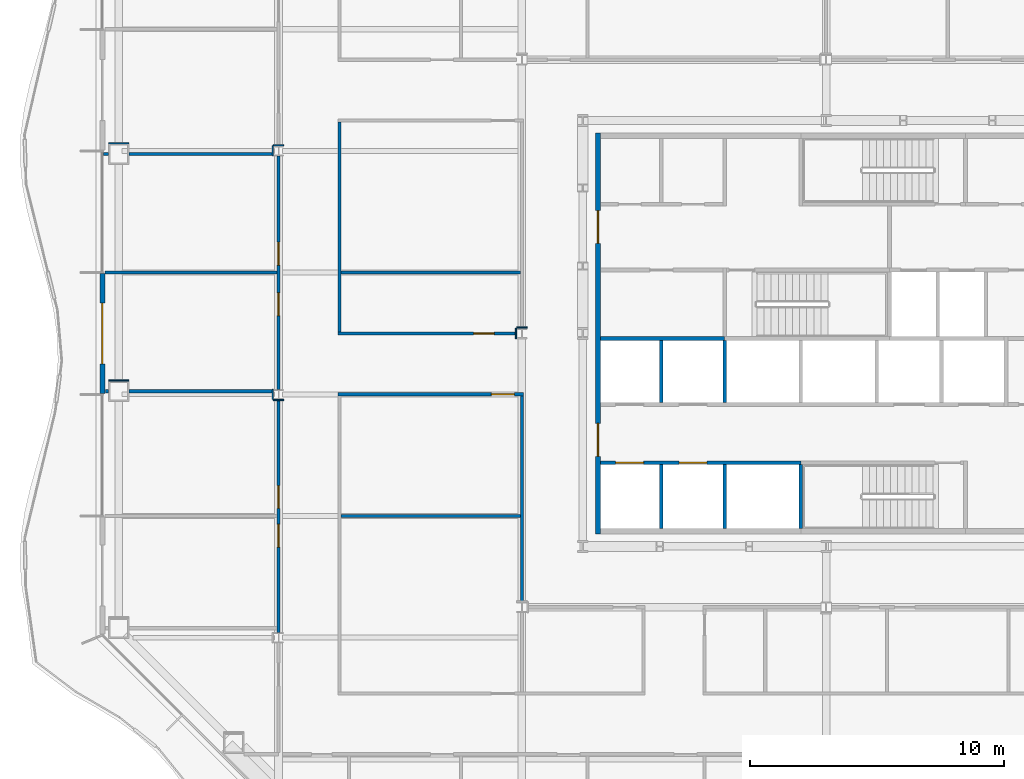
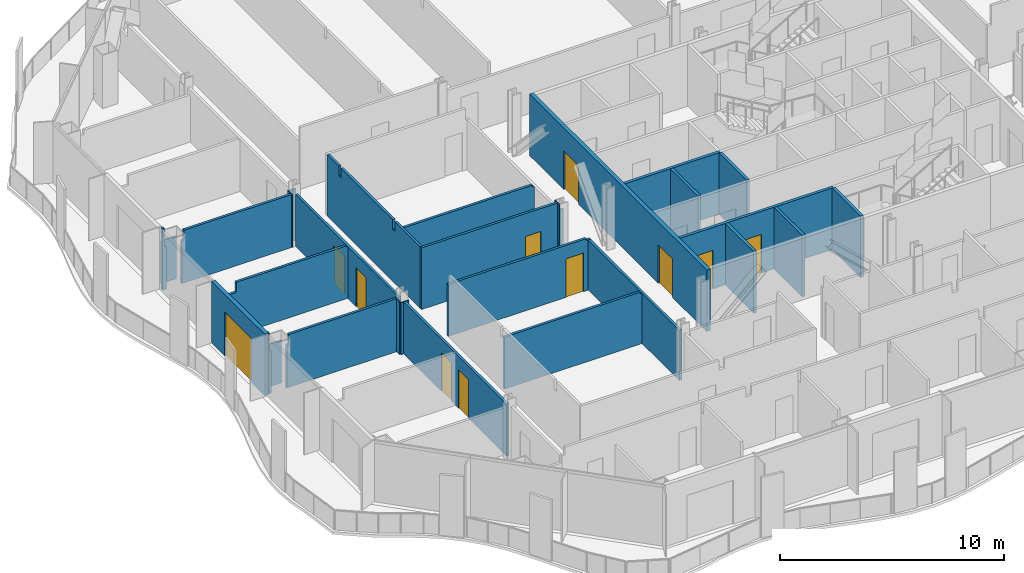
# One storey, part 9 of 23: 30 walls, 11 doors, 11 openings.
"""IFC4 building model written with IfcOpenShell, lengths in metres."""

from ifc_helpers import new_model, si_unit, direction, frame, frame_2d, origin, place, context, subcontext, project, spatial, polyline, rectangle, outline, extrude, material, layer, layer_set, type_object, element, fill, save


model = new_model("IFC4")

# Units and contexts
model_context = context("Model", 3, precision=1e-05, world=origin(), true_north=direction((0.0, 1.0)))
body_context = subcontext(model_context, "Body", "Model", "MODEL_VIEW")
ifc_project = project(units=[si_unit("LENGTHUNIT", "METRE"), si_unit("AREAUNIT", "SQUARE_METRE"), si_unit("VOLUMEUNIT", "CUBIC_METRE"), si_unit("PLANEANGLEUNIT", "RADIAN"), si_unit("MASSUNIT", "GRAM", prefix="KILO")], contexts=[model_context])

# Site, building, storey
site_placement = place(None, origin())
site = spatial("IfcSite", under=ifc_project, at=site_placement, CompositionType="ELEMENT")
building_placement = place(site_placement, origin())
building = spatial("IfcBuilding", under=site, at=building_placement, Name="Cairn Pilgrim Tower", CompositionType="ELEMENT")
storey_placement = place(building_placement, frame((0.0, 0.0, 115.800048828125)))
storey = spatial("IfcBuildingStorey", under=building, at=storey_placement, Name="L28", CompositionType="ELEMENT", Elevation=115.800048828125)

# Wall, opening, door
ifc_material_1 = material(Name="Bronze anodised aluminium insulated sandwich panel with mineral wool fill", Category="aluminium")
ifc_layer_1 = layer(ifc_material_1, 0.199951171875)
ifc_layer_set_1 = layer_set([ifc_layer_1], Name="BRONZE INFILL FRAME WALL 200")
wall_type_1 = type_object("IfcWallType", Name="BRONZE INFILL FRAME WALL 200", PredefinedType="NOTDEFINED", material=ifc_layer_set_1)
wall_1_placement = place(storey_placement, frame((-21.35009765625, 4.77001953125, 0.0), z_axis=(0.0, 0.0, 1.0), x_axis=(0.0, -1.0, 0.0)))
wall_1 = element("IfcWall", 1, at=wall_1_placement, inside=storey, type_object=wall_type_1, Name="Bronze infill frame wall IW-W4", PredefinedType="NOTDEFINED", context=body_context, shape_type="SweptSolid", body=[
    extrude(rectangle(XDim=4.739990234375, YDim=0.199951171875, at=frame_2d((2.3701171875, 0.0))), origin(), (0.0, 0.0, 1.0), 3.349853515625),
])
opening_1_placement = place(wall_1_placement, frame((1.169921875, 0.0, 0.0)))
opening_1 = element("IfcOpeningElement", 2, at=opening_1_placement, cuts=wall_1, Name="Opening 2812B", PredefinedType="OPENING", context=body_context, shape_type="SweptSolid", body=[
    extrude(rectangle(XDim=2.39990234375, YDim=2.39990234375, at=frame_2d((1.199951171875, 1.199951171875))), frame((0.0, 0.10986328125, 0.0), z_axis=(0.0, -1.0, 0.0), x_axis=(1.0, 0.0, 0.0)), (0.0, 0.0, 1.0), 0.219970703125),
])
ifc_material_2 = material(Name="Bronze anodised aluminium frame with tinted low-E glass", Category="aluminium")
door_type_1 = type_object("IfcDoorType", Name="BALCONY SLIDING DOOR 2400x2400", OperationType="DOUBLE_DOOR_SLIDING", PredefinedType="DOOR", material=ifc_material_2)
door_1_placement = place(opening_1_placement, origin())
door_1 = element("IfcDoor", 3, at=door_1_placement, inside=storey, type_object=door_type_1, Name="Balcony sliding door 2812B", OperationType="SINGLE_SWING_LEFT", OverallHeight=2.39990234375, OverallWidth=2.39990234375, PredefinedType="DOOR", context=body_context, shape_type="SweptSolid", body=[
    extrude(rectangle(XDim=2.39990234375, YDim=2.39990234375, at=frame_2d((1.199951171875, 1.199951171875))), frame((0.0, 0.02490234375, 0.0), z_axis=(0.0, -1.0, 0.0), x_axis=(1.0, 0.0, 0.0)), (0.0, 0.0, 1.0), 0.050048828125),
])
fill(opening_1, door_1)

# Wall, openings, doors
ifc_material_3 = material(Name="Concrete C32/40", Category="concrete")
ifc_layer_2 = layer(ifc_material_3, 0.199951171875)
ifc_layer_set_2 = layer_set([ifc_layer_2], Name="CORE OUTER WALL 200 EI 120")
wall_type_2 = type_object("IfcWallType", Name="CORE OUTER WALL 200 EI 120", PredefinedType="SOLIDWALL", material=ifc_layer_set_2)
wall_2_placement = place(storey_placement, frame((-1.800048828125, -5.5, 0.0), z_axis=(0.0, 0.0, 1.0), x_axis=(0.0, 1.0, 0.0)))
wall_2 = element("IfcWall", 4, at=wall_2_placement, inside=storey, type_object=wall_type_2, Name="CW:L28:V12", PredefinedType="SOLIDWALL", context=body_context, shape_type="SweptSolid", body=[
    extrude(rectangle(XDim=15.800048828125, YDim=0.199951171875, at=frame_2d((7.89990234375, 0.0))), origin(), (0.0, 0.0, 1.0), 3.349853515625),
])
opening_2_placement = place(wall_2_placement, frame((3.050048828125, 0.0, 0.0)))
opening_2 = element("IfcOpeningElement", 5, at=opening_2_placement, cuts=wall_2, Name="Opening CD-W1", PredefinedType="OPENING", context=body_context, shape_type="SweptSolid", body=[
    extrude(rectangle(XDim=1.300048828125, YDim=2.10009765625, at=frame_2d((0.64990234375, 1.050048828125))), frame((0.0, 0.10986328125, 0.0), z_axis=(0.0, -1.0, 0.0), x_axis=(1.0, 0.0, 0.0)), (0.0, 0.0, 1.0), 0.219970703125),
])
opening_3_placement = place(wall_2_placement, frame((11.449951171875, 0.0, 0.0)))
opening_3 = element("IfcOpeningElement", 6, at=opening_3_placement, cuts=wall_2, Name="Opening CD-W2", PredefinedType="OPENING", context=body_context, shape_type="SweptSolid", body=[
    extrude(rectangle(XDim=1.300048828125, YDim=2.10009765625, at=frame_2d((0.64990234375, 1.050048828125))), frame((0.0, 0.10986328125, 0.0), z_axis=(0.0, -1.0, 0.0), x_axis=(1.0, 0.0, 0.0)), (0.0, 0.0, 1.0), 0.219970703125),
])
ifc_material_4 = material(Name="Painted steel", Category="steel")
door_type_2 = type_object("IfcDoorType", Name="CORE LOBBY DOOR 1300x2100", OperationType="DOUBLE_DOOR_SINGLE_SWING", PredefinedType="DOOR", material=ifc_material_4)
door_2_placement = place(opening_2_placement, origin())
door_2 = element("IfcDoor", 7, at=door_2_placement, inside=storey, type_object=door_type_2, Name="CD-W1", OperationType="DOUBLE_DOOR_SINGLE_SWING", OverallHeight=2.10009765625, OverallWidth=1.300048828125, PredefinedType="DOOR", context=body_context, shape_type="SweptSolid", body=[
    extrude(rectangle(XDim=1.300048828125, YDim=2.10009765625, at=frame_2d((0.64990234375, 1.050048828125))), frame((0.0, 0.02490234375, 0.0), z_axis=(0.0, -1.0, 0.0), x_axis=(1.0, 0.0, 0.0)), (0.0, 0.0, 1.0), 0.050048828125),
])
fill(opening_2, door_2)
door_3_placement = place(opening_3_placement, origin())
door_3 = element("IfcDoor", 8, at=door_3_placement, inside=storey, type_object=door_type_2, Name="CD-W2", OperationType="DOUBLE_DOOR_SINGLE_SWING", OverallHeight=2.10009765625, OverallWidth=1.300048828125, PredefinedType="DOOR", context=body_context, shape_type="SweptSolid", body=[
    extrude(rectangle(XDim=1.300048828125, YDim=2.10009765625, at=frame_2d((0.64990234375, 1.050048828125))), frame((0.0, 0.02490234375, 0.0), z_axis=(0.0, -1.0, 0.0), x_axis=(1.0, 0.0, 0.0)), (0.0, 0.0, 1.0), 0.050048828125),
])
fill(opening_3, door_3)

ifc_layer_3 = layer(ifc_material_3, 0.14990234375)
ifc_layer_set_3 = layer_set([ifc_layer_3], Name="CORE SHAFT WALL 150 EI 120")
wall_type_3 = type_object("IfcWallType", Name="CORE SHAFT WALL 150 EI 120", PredefinedType="SOLIDWALL", material=ifc_layer_set_3)
wall_3_placement = place(storey_placement, frame((-1.699951171875, -2.699951171875, 0.0), z_axis=(0.0, 0.0, 1.0), x_axis=(1.0, 0.0, 0.0)))
wall_3 = element("IfcWall", 9, at=wall_3_placement, inside=storey, type_object=wall_type_3, Name="CW:L28:H02-1", PredefinedType="SOLIDWALL", context=body_context, shape_type="SweptSolid", body=[
    extrude(rectangle(XDim=7.89990234375, YDim=0.14990234375, at=frame_2d((3.949951171875, 0.0))), origin(), (0.0, 0.0, 1.0), 3.349853515625),
])
opening_4_placement = place(wall_3_placement, frame((0.60009765625, 0.0, 0.0)))
opening_4 = element("IfcOpeningElement", 10, at=opening_4_placement, cuts=wall_3, Name="Opening LD-LR1", PredefinedType="OPENING", context=body_context, shape_type="SweptSolid", body=[
    extrude(rectangle(XDim=1.10009765625, YDim=2.10009765625, at=frame_2d((0.550048828125, 1.050048828125))), frame((0.0, 0.0849609375, 0.0), z_axis=(0.0, -1.0, 0.0), x_axis=(1.0, 0.0, 0.0)), (0.0, 0.0, 1.0), 0.169921875),
])
opening_5_placement = place(wall_3_placement, frame((3.10009765625, 0.0, 0.0)))
opening_5 = element("IfcOpeningElement", 11, at=opening_5_placement, cuts=wall_3, Name="Opening LD-LR2", PredefinedType="OPENING", context=body_context, shape_type="SweptSolid", body=[
    extrude(rectangle(XDim=1.10009765625, YDim=2.10009765625, at=frame_2d((0.550048828125, 1.050048828125))), frame((0.0, 0.0849609375, 0.0), z_axis=(0.0, -1.0, 0.0), x_axis=(1.0, 0.0, 0.0)), (0.0, 0.0, 1.0), 0.169921875),
])
ifc_material_5 = material(Name="Stainless steel", Category="steel")
door_type_3 = type_object("IfcDoorType", Name="LIFT LANDING DOOR 1100x2100", OperationType="DOUBLE_DOOR_SLIDING", PredefinedType="DOOR", material=ifc_material_5)
door_4_placement = place(opening_4_placement, origin())
door_4 = element("IfcDoor", 12, at=door_4_placement, inside=storey, type_object=door_type_3, Name="LANDING DOOR LR1", OperationType="DOUBLE_DOOR_SLIDING", OverallHeight=2.10009765625, OverallWidth=1.10009765625, PredefinedType="DOOR", context=body_context, shape_type="SweptSolid", body=[
    extrude(rectangle(XDim=1.10009765625, YDim=2.10009765625, at=frame_2d((0.550048828125, 1.050048828125))), frame((0.0, 0.02490234375, 0.0), z_axis=(0.0, -1.0, 0.0), x_axis=(1.0, 0.0, 0.0)), (0.0, 0.0, 1.0), 0.050048828125),
])
fill(opening_4, door_4)
door_5_placement = place(opening_5_placement, origin())
door_5 = element("IfcDoor", 13, at=door_5_placement, inside=storey, type_object=door_type_3, Name="LANDING DOOR LR2", OperationType="DOUBLE_DOOR_SLIDING", OverallHeight=2.10009765625, OverallWidth=1.10009765625, PredefinedType="DOOR", context=body_context, shape_type="SweptSolid", body=[
    extrude(rectangle(XDim=1.10009765625, YDim=2.10009765625, at=frame_2d((0.550048828125, 1.050048828125))), frame((0.0, 0.02490234375, 0.0), z_axis=(0.0, -1.0, 0.0), x_axis=(1.0, 0.0, 0.0)), (0.0, 0.0, 1.0), 0.050048828125),
])
fill(opening_5, door_5)

# Walls
wall_4_placement = place(storey_placement, frame((-1.699951171875, 2.199951171875, 0.0), z_axis=(0.0, 0.0, 1.0), x_axis=(1.0, 0.0, 0.0)))
element("IfcWall", 14, at=wall_4_placement, inside=storey, type_object=wall_type_3, Name="CW:L28:H05-1", PredefinedType="SOLIDWALL", context=body_context, shape_type="SweptSolid", body=[
    extrude(rectangle(XDim=4.89990234375, YDim=0.14990234375, at=frame_2d((2.449951171875, 0.0))), origin(), (0.0, 0.0, 1.0), 3.349853515625),
])
wall_5_placement = place(storey_placement, frame((0.699951171875, -5.300048828125, 0.0), z_axis=(0.0, 0.0, 1.0), x_axis=(0.0, 1.0, 0.0)))
element("IfcWall", 15, at=wall_5_placement, inside=storey, type_object=wall_type_3, Name="CW:L28:V13", PredefinedType="SOLIDWALL", context=body_context, shape_type="SweptSolid", body=[
    extrude(rectangle(XDim=2.525146484375, YDim=0.14990234375, at=frame_2d((1.2626953125, 0.0))), origin(), (0.0, 0.0, 1.0), 3.349853515625),
])
wall_6_placement = place(storey_placement, frame((0.699951171875, -0.324951171875, 0.0), z_axis=(0.0, 0.0, 1.0), x_axis=(0.0, 1.0, 0.0)))
element("IfcWall", 16, at=wall_6_placement, inside=storey, type_object=wall_type_3, Name="CW:L28:V14", PredefinedType="SOLIDWALL", context=body_context, shape_type="SweptSolid", body=[
    extrude(rectangle(XDim=2.449951171875, YDim=0.14990234375, at=frame_2d((1.22509765625, 0.0))), origin(), (0.0, 0.0, 1.0), 3.349853515625),
])
wall_7_placement = place(storey_placement, frame((3.199951171875, -5.300048828125, 0.0), z_axis=(0.0, 0.0, 1.0), x_axis=(0.0, 1.0, 0.0)))
element("IfcWall", 17, at=wall_7_placement, inside=storey, type_object=wall_type_3, Name="CW:L28:V16", PredefinedType="SOLIDWALL", context=body_context, shape_type="SweptSolid", body=[
    extrude(rectangle(XDim=2.525146484375, YDim=0.14990234375, at=frame_2d((1.2626953125, 0.0))), origin(), (0.0, 0.0, 1.0), 3.349853515625),
])
wall_8_placement = place(storey_placement, frame((3.199951171875, -0.324951171875, 0.0), z_axis=(0.0, 0.0, 1.0), x_axis=(0.0, 1.0, 0.0)))
element("IfcWall", 18, at=wall_8_placement, inside=storey, type_object=wall_type_3, Name="CW:L28:V17", PredefinedType="SOLIDWALL", context=body_context, shape_type="SweptSolid", body=[
    extrude(rectangle(XDim=2.449951171875, YDim=0.14990234375, at=frame_2d((1.22509765625, 0.0))), origin(), (0.0, 0.0, 1.0), 3.349853515625),
])

# Wall, openings, doors
ifc_material_6 = material(Name="Gypsum partition")
ifc_layer_4 = layer(ifc_material_6, 0.125)
ifc_layer_set_4 = layer_set([ifc_layer_4], Name="PARTITION 125 DRYWALL EI 60")
wall_type_4 = type_object("IfcWallType", Name="PARTITION 125 DRYWALL EI 60", PredefinedType="PARTITIONING", material=ifc_layer_set_4)
wall_9_placement = place(storey_placement, frame((-14.39990234375, -9.403564453125, 0.0), z_axis=(0.0, 0.0, 1.0), x_axis=(0.0, 1.0, 0.0)))
wall_9 = element("IfcWall", 19, at=wall_9_placement, inside=storey, type_object=wall_type_4, Name="PARTITION W031", PredefinedType="PARTITIONING", context=body_context, shape_type="SweptSolid", body=[
    extrude(rectangle(XDim=9.20703125, YDim=0.125, at=frame_2d((4.603515625, 0.0))), origin(), (0.0, 0.0, 1.0), 2.829833984375),
])
opening_6_placement = place(wall_9_placement, frame((3.37646484375, 0.0, 0.0)))
opening_6 = element("IfcOpeningElement", 20, at=opening_6_placement, cuts=wall_9, Name="Opening 2810", PredefinedType="OPENING", context=body_context, shape_type="SweptSolid", body=[
    extrude(rectangle(XDim=0.89990234375, YDim=2.10009765625, at=frame_2d((0.449951171875, 1.050048828125))), frame((0.0, 0.072509765625, 0.0), z_axis=(0.0, -1.0, 0.0), x_axis=(1.0, 0.0, 0.0)), (0.0, 0.0, 1.0), 0.14501953125),
])
opening_7_placement = place(wall_9_placement, frame((4.903564453125, 0.0, 0.0)))
opening_7 = element("IfcOpeningElement", 21, at=opening_7_placement, cuts=wall_9, Name="Opening 2811", PredefinedType="OPENING", context=body_context, shape_type="SweptSolid", body=[
    extrude(rectangle(XDim=0.89990234375, YDim=2.10009765625, at=frame_2d((0.449951171875, 1.050048828125))), frame((0.0, 0.072509765625, 0.0), z_axis=(0.0, -1.0, 0.0), x_axis=(1.0, 0.0, 0.0)), (0.0, 0.0, 1.0), 0.14501953125),
])
ifc_material_7 = material(Name="Steel-faced fire door leaf", Category="steel")
door_type_4 = type_object("IfcDoorType", Name="FIRE DOOR 900x2100 FD30S", OperationType="NOTDEFINED", PredefinedType="DOOR", material=ifc_material_7)
door_6_placement = place(opening_6_placement, origin())
door_6 = element("IfcDoor", 22, at=door_6_placement, inside=storey, type_object=door_type_4, Name="DOOR 2810", OperationType="SINGLE_SWING_LEFT", OverallHeight=2.10009765625, OverallWidth=0.89990234375, PredefinedType="DOOR", context=body_context, shape_type="SweptSolid", body=[
    extrude(rectangle(XDim=0.89990234375, YDim=2.10009765625, at=frame_2d((0.449951171875, 1.050048828125))), frame((0.0, 0.02490234375, 0.0), z_axis=(0.0, -1.0, 0.0), x_axis=(1.0, 0.0, 0.0)), (0.0, 0.0, 1.0), 0.050048828125),
])
fill(opening_6, door_6)
door_7_placement = place(opening_7_placement, origin())
door_7 = element("IfcDoor", 23, at=door_7_placement, inside=storey, type_object=door_type_4, Name="DOOR 2811", OperationType="SINGLE_SWING_RIGHT", OverallHeight=2.10009765625, OverallWidth=0.89990234375, PredefinedType="DOOR", context=body_context, shape_type="SweptSolid", body=[
    extrude(rectangle(XDim=0.89990234375, YDim=2.10009765625, at=frame_2d((0.449951171875, 1.050048828125))), frame((0.0, 0.02490234375, 0.0), z_axis=(0.0, -1.0, 0.0), x_axis=(1.0, 0.0, 0.0)), (0.0, 0.0, 1.0), 0.050048828125),
])
fill(opening_7, door_7)

# Walls
wall_10_placement = place(storey_placement, frame((-4.800048828125, -8.1875, 0.0), z_axis=(0.0, 0.0, 1.0), x_axis=(0.0, 1.0, 0.0)))
element("IfcWall", 24, at=wall_10_placement, inside=storey, type_object=wall_type_4, Name="PARTITION W037", PredefinedType="PARTITIONING", context=body_context, shape_type="SweptSolid", body=[
    extrude(rectangle(XDim=8.125, YDim=0.125, at=frame_2d((4.0625, 0.0))), origin(), (0.0, 0.0, 1.0), 2.72998046875),
])
wall_11_placement = place(storey_placement, frame((-11.9375, -4.800048828125, 0.0), z_axis=(0.0, 0.0, 1.0), x_axis=(1.0, 0.0, 0.0)))
element("IfcWall", 25, at=wall_11_placement, inside=storey, type_object=wall_type_4, Name="PARTITION W040", PredefinedType="PARTITIONING", context=body_context, shape_type="SweptSolid", body=[
    extrude(outline(polyline([(0.0, 0.0), (7.074951171875, 0.0), (7.074951171875, 2.72998046875), (6.987548828125, 2.72998046875), (6.985595703125, 2.829833984375), (0.0, 2.829833984375), (0.0, 0.0)])), frame((0.0, 0.0625, 0.0), z_axis=(0.0, -1.0, 0.0), x_axis=(1.0, 0.0, 0.0)), (0.0, 0.0, 1.0), 0.125),
])

# Wall, opening, door
wall_12_placement = place(storey_placement, frame((-12.0625, 0.0, 0.0), z_axis=(0.0, 0.0, 1.0), x_axis=(1.0, 0.0, 0.0)))
wall_12 = element("IfcWall", 26, at=wall_12_placement, inside=storey, type_object=wall_type_4, Name="PARTITION W042", PredefinedType="PARTITIONING", context=body_context, shape_type="SweptSolid", body=[
    extrude(outline(polyline([(0.0, 0.0), (7.324951171875, 0.0), (7.324951171875, 2.72998046875), (7.112548828125, 2.72998046875), (7.110595703125, 2.829833984375), (0.0, 2.829833984375), (0.0, 0.0)])), frame((0.0, 0.0625, 0.0), z_axis=(0.0, -1.0, 0.0), x_axis=(1.0, 0.0, 0.0)), (0.0, 0.0, 1.0), 0.125),
])
opening_8_placement = place(wall_12_placement, frame((6.0625, 0.0, 0.0)))
opening_8 = element("IfcOpeningElement", 27, at=opening_8_placement, cuts=wall_12, Name="Opening 2833", PredefinedType="OPENING", context=body_context, shape_type="SweptSolid", body=[
    extrude(rectangle(XDim=0.89990234375, YDim=2.10009765625, at=frame_2d((0.449951171875, 1.050048828125))), frame((0.0, 0.072509765625, 0.0), z_axis=(0.0, -1.0, 0.0), x_axis=(1.0, 0.0, 0.0)), (0.0, 0.0, 1.0), 0.14501953125),
])
door_8_placement = place(opening_8_placement, frame((0.89990234375, 0.0, 0.0), z_axis=(0.0, 0.0, 1.0), x_axis=(-1.0, 0.0, 0.0)))
door_8 = element("IfcDoor", 28, at=door_8_placement, inside=storey, type_object=door_type_4, Name="DOOR 2833", OperationType="SINGLE_SWING_RIGHT", OverallHeight=2.10009765625, OverallWidth=0.89990234375, PredefinedType="DOOR", context=body_context, shape_type="SweptSolid", body=[
    extrude(rectangle(XDim=0.89990234375, YDim=2.10009765625, at=frame_2d((0.449951171875, 1.050048828125))), frame((0.0, 0.02490234375, 0.0), z_axis=(0.0, -1.0, 0.0), x_axis=(1.0, 0.0, 0.0)), (0.0, 0.0, 1.0), 0.050048828125),
])
fill(opening_8, door_8)

# Walls
wall_13_placement = place(storey_placement, frame((-21.219970703125, 0.1240234375, 0.0), z_axis=(0.0, 0.0, 1.0), x_axis=(1.0, 0.0, 0.0)))
element("IfcWall", 29, at=wall_13_placement, inside=storey, type_object=wall_type_4, Name="PARTITION W043", PredefinedType="PARTITIONING", context=body_context, shape_type="SweptSolid", body=[
    extrude(outline(polyline([(0.0, 0.0), (0.119873046875, 0.0), (0.1201171875, 2.329833984375), (0.02001953125, 2.329833984375), (0.01806640625, 3.349853515625), (0.0, 3.349853515625), (0.0, 0.0)])), frame((0.0, 0.0625, 0.0), z_axis=(0.0, -1.0, 0.0), x_axis=(1.0, 0.0, 0.0)), (0.0, 0.0, 1.0), 0.125),
])
wall_14_placement = place(storey_placement, frame((-20.300048828125, 0.1240234375, 0.0), z_axis=(0.0, 0.0, 1.0), x_axis=(1.0, 0.0, 0.0)))
element("IfcWall", 30, at=wall_14_placement, inside=storey, type_object=wall_type_4, Name="PARTITION W044", PredefinedType="PARTITIONING", context=body_context, shape_type="SweptSolid", body=[
    extrude(outline(polyline([(0.0, 0.0), (5.700439453125, 0.0), (5.700439453125, 2.8798828125), (0.10009765625, 2.8798828125), (0.097900390625, 2.329833984375), (0.0, 2.329833984375), (0.0, 0.0)])), frame((0.0, 0.0625, 0.0), z_axis=(0.0, -1.0, 0.0), x_axis=(1.0, 0.0, 0.0)), (0.0, 0.0, 1.0), 0.125),
])

# Wall, openings, doors
wall_15_placement = place(storey_placement, frame((-14.39990234375, 0.196533203125, 0.0), z_axis=(0.0, 0.0, 1.0), x_axis=(0.0, 1.0, 0.0)))
wall_15 = element("IfcWall", 31, at=wall_15_placement, inside=storey, type_object=wall_type_4, Name="PARTITION W047", PredefinedType="PARTITIONING", context=body_context, shape_type="SweptSolid", body=[
    extrude(rectangle(XDim=9.20703125, YDim=0.125, at=frame_2d((4.603515625, 0.0))), origin(), (0.0, 0.0, 1.0), 2.829833984375),
])
opening_9_placement = place(wall_15_placement, frame((2.903564453125, 0.0, 0.0)))
opening_9 = element("IfcOpeningElement", 32, at=opening_9_placement, cuts=wall_15, Name="Opening 2812", PredefinedType="OPENING", context=body_context, shape_type="SweptSolid", body=[
    extrude(rectangle(XDim=0.89990234375, YDim=2.10009765625, at=frame_2d((0.449951171875, 1.050048828125))), frame((0.0, 0.072509765625, 0.0), z_axis=(0.0, -1.0, 0.0), x_axis=(1.0, 0.0, 0.0)), (0.0, 0.0, 1.0), 0.14501953125),
])
opening_10_placement = place(wall_15_placement, frame((4.903564453125, 0.0, 0.0)))
opening_10 = element("IfcOpeningElement", 33, at=opening_10_placement, cuts=wall_15, Name="Opening 2813", PredefinedType="OPENING", context=body_context, shape_type="SweptSolid", body=[
    extrude(rectangle(XDim=0.89990234375, YDim=2.10009765625, at=frame_2d((0.449951171875, 1.050048828125))), frame((0.0, 0.072509765625, 0.0), z_axis=(0.0, -1.0, 0.0), x_axis=(1.0, 0.0, 0.0)), (0.0, 0.0, 1.0), 0.14501953125),
])
door_9_placement = place(opening_9_placement, origin())
door_9 = element("IfcDoor", 34, at=door_9_placement, inside=storey, type_object=door_type_4, Name="DOOR 2812", OperationType="SINGLE_SWING_LEFT", OverallHeight=2.10009765625, OverallWidth=0.89990234375, PredefinedType="DOOR", context=body_context, shape_type="SweptSolid", body=[
    extrude(rectangle(XDim=0.89990234375, YDim=2.10009765625, at=frame_2d((0.449951171875, 1.050048828125))), frame((0.0, 0.02490234375, 0.0), z_axis=(0.0, -1.0, 0.0), x_axis=(1.0, 0.0, 0.0)), (0.0, 0.0, 1.0), 0.050048828125),
])
fill(opening_9, door_9)
door_10_placement = place(opening_10_placement, origin())
door_10 = element("IfcDoor", 35, at=door_10_placement, inside=storey, type_object=door_type_4, Name="DOOR 2813", OperationType="SINGLE_SWING_RIGHT", OverallHeight=2.10009765625, OverallWidth=0.89990234375, PredefinedType="DOOR", context=body_context, shape_type="SweptSolid", body=[
    extrude(rectangle(XDim=0.89990234375, YDim=2.10009765625, at=frame_2d((0.449951171875, 1.050048828125))), frame((0.0, 0.02490234375, 0.0), z_axis=(0.0, -1.0, 0.0), x_axis=(1.0, 0.0, 0.0)), (0.0, 0.0, 1.0), 0.050048828125),
])
fill(opening_10, door_10)

# Wall, opening, door
wall_16_placement = place(storey_placement, frame((-12.0625, 2.39990234375, 0.0), z_axis=(0.0, 0.0, 1.0), x_axis=(1.0, 0.0, 0.0)))
wall_16 = element("IfcWall", 36, at=wall_16_placement, inside=storey, type_object=wall_type_4, Name="PARTITION W048", PredefinedType="PARTITIONING", context=body_context, shape_type="SweptSolid", body=[
    extrude(rectangle(XDim=7.05810546875, YDim=0.125, at=frame_2d((3.529052734375, 0.0))), origin(), (0.0, 0.0, 1.0), 3.349853515625),
])
opening_11_placement = place(wall_16_placement, frame((5.362548828125, 0.0, 0.0)))
opening_11 = element("IfcOpeningElement", 37, at=opening_11_placement, cuts=wall_16, Name="Opening 2834", PredefinedType="OPENING", context=body_context, shape_type="SweptSolid", body=[
    extrude(rectangle(XDim=0.800048828125, YDim=2.10009765625, at=frame_2d((0.39990234375, 1.050048828125))), frame((0.0, 0.072509765625, 0.0), z_axis=(0.0, -1.0, 0.0), x_axis=(1.0, 0.0, 0.0)), (0.0, 0.0, 1.0), 0.14501953125),
])
door_type_5 = type_object("IfcDoorType", Name="FIRE DOOR 800x2100 FD30S", OperationType="NOTDEFINED", PredefinedType="DOOR", material=ifc_material_7)
door_11_placement = place(opening_11_placement, origin())
door_11 = element("IfcDoor", 38, at=door_11_placement, inside=storey, type_object=door_type_5, Name="DOOR 2834", OperationType="SINGLE_SWING_LEFT", OverallHeight=2.10009765625, OverallWidth=0.800048828125, PredefinedType="DOOR", context=body_context, shape_type="SweptSolid", body=[
    extrude(rectangle(XDim=0.800048828125, YDim=2.10009765625, at=frame_2d((0.39990234375, 1.050048828125))), frame((0.0, 0.02490234375, 0.0), z_axis=(0.0, -1.0, 0.0), x_axis=(1.0, 0.0, 0.0)), (0.0, 0.0, 1.0), 0.050048828125),
])
fill(opening_11, door_11)

# Walls
wall_17_placement = place(storey_placement, frame((-12.0, 2.46240234375, 0.0), z_axis=(0.0, 0.0, 1.0), x_axis=(0.0, 1.0, 0.0)))
element("IfcWall", 39, at=wall_17_placement, inside=storey, type_object=wall_type_4, Name="PARTITION W049", PredefinedType="PARTITIONING", context=body_context, shape_type="SweptSolid", body=[
    extrude(outline(polyline([(0.0, 0.0), (8.275146484375, 0.0), (8.27490234375, 3.349853515625), (7.237548828125, 3.349853515625), (7.235595703125, 2.829833984375), (7.03759765625, 2.829833984375), (7.035400390625, 3.349853515625), (2.4375, 3.349853515625), (2.435546875, 2.829833984375), (2.237548828125, 2.829833984375), (2.235595703125, 3.349853515625), (0.0, 3.349853515625), (0.0, 0.0)])), frame((0.0, 0.0625, 0.0), z_axis=(0.0, -1.0, 0.0), x_axis=(1.0, 0.0, 0.0)), (0.0, 0.0, 1.0), 0.125),
])
wall_18_placement = place(storey_placement, frame((-21.25, 4.800048828125, 0.0), z_axis=(0.0, 0.0, 1.0), x_axis=(1.0, 0.0, 0.0)))
element("IfcWall", 40, at=wall_18_placement, inside=storey, type_object=wall_type_4, Name="PARTITION W053", PredefinedType="PARTITIONING", context=body_context, shape_type="SweptSolid", body=[
    extrude(outline(polyline([(0.0, 0.0), (6.78759765625, 0.0), (6.78759765625, 2.829833984375), (6.699951171875, 2.829833984375), (6.697998046875, 2.8798828125), (1.050048828125, 2.8798828125), (1.048095703125, 2.329833984375), (0.050048828125, 2.329833984375), (0.048095703125, 2.8798828125), (0.0, 2.8798828125), (0.0, 0.0)])), frame((0.0, 0.0625, 0.0), z_axis=(0.0, -1.0, 0.0), x_axis=(1.0, 0.0, 0.0)), (0.0, 0.0, 1.0), 0.125),
])
wall_19_placement = place(storey_placement, frame((-11.9375, 4.800048828125, 0.0), z_axis=(0.0, 0.0, 1.0), x_axis=(1.0, 0.0, 0.0)))
element("IfcWall", 41, at=wall_19_placement, inside=storey, type_object=wall_type_4, Name="PARTITION W054", PredefinedType="PARTITIONING", context=body_context, shape_type="SweptSolid", body=[
    extrude(outline(polyline([(0.0, 0.0), (7.074951171875, 0.0), (7.074951171875, 2.72998046875), (6.987548828125, 2.72998046875), (6.985595703125, 2.829833984375), (0.0, 2.829833984375), (0.0, 0.0)])), frame((0.0, 0.0625, 0.0), z_axis=(0.0, -1.0, 0.0), x_axis=(1.0, 0.0, 0.0)), (0.0, 0.0, 1.0), 0.125),
])
wall_20_placement = place(storey_placement, frame((-21.302978515625, 9.47607421875, 0.0), z_axis=(0.0, 0.0, 1.0), x_axis=(1.0, 0.0, 0.0)))
element("IfcWall", 42, at=wall_20_placement, inside=storey, type_object=wall_type_4, Name="PARTITION W059", PredefinedType="PARTITIONING", context=body_context, shape_type="SweptSolid", body=[
    extrude(outline(polyline([(0.0, 0.0), (0.202880859375, 0.0), (0.202880859375, 2.329833984375), (0.10302734375, 2.329833984375), (0.10107421875, 3.349853515625), (0.0, 3.349853515625), (0.0, 0.0)])), frame((0.0, 0.0625, 0.0), z_axis=(0.0, -1.0, 0.0), x_axis=(1.0, 0.0, 0.0)), (0.0, 0.0, 1.0), 0.125),
])
wall_21_placement = place(storey_placement, frame((-20.300048828125, 9.47607421875, 0.0), z_axis=(0.0, 0.0, 1.0), x_axis=(1.0, 0.0, 0.0)))
element("IfcWall", 43, at=wall_21_placement, inside=storey, type_object=wall_type_4, Name="PARTITION W060", PredefinedType="PARTITIONING", context=body_context, shape_type="SweptSolid", body=[
    extrude(outline(polyline([(0.0, 0.0), (5.700439453125, 0.0), (5.700439453125, 2.8798828125), (0.10009765625, 2.8798828125), (0.097900390625, 2.329833984375), (0.0, 2.329833984375), (0.0, 0.0)])), frame((0.0, 0.0625, 0.0), z_axis=(0.0, -1.0, 0.0), x_axis=(1.0, 0.0, 0.0)), (0.0, 0.0, 1.0), 0.125),
])
ifc_layer_5 = layer(ifc_material_6, 0.050048828125)
ifc_layer_set_5 = layer_set([ifc_layer_5], Name="PARTITION 50 DRYWALL EI 60")
wall_type_5 = type_object("IfcWallType", Name="PARTITION 50 DRYWALL EI 60", PredefinedType="PARTITIONING", material=ifc_layer_set_5)
wall_22_placement = place(storey_placement, frame((-14.62451171875, -0.196533203125, 0.0), z_axis=(0.0, 0.0, 1.0), x_axis=(0.0, 1.0, 0.0)))
element("IfcWall", 44, at=wall_22_placement, inside=storey, type_object=wall_type_5, Name="COLUMN CASING WC07", PredefinedType="PARTITIONING", context=body_context, shape_type="SweptSolid", body=[
    extrude(rectangle(XDim=0.39306640625, YDim=0.050048828125, at=frame_2d((0.196533203125, 0.0))), origin(), (0.0, 0.0, 1.0), 2.8798828125),
])
wall_23_placement = place(storey_placement, frame((-14.62451171875, 9.403564453125, 0.0), z_axis=(0.0, 0.0, 1.0), x_axis=(0.0, 1.0, 0.0)))
element("IfcWall", 45, at=wall_23_placement, inside=storey, type_object=wall_type_5, Name="COLUMN CASING WC08", PredefinedType="PARTITIONING", context=body_context, shape_type="SweptSolid", body=[
    extrude(rectangle(XDim=0.392822265625, YDim=0.050048828125, at=frame_2d((0.1962890625, 0.0))), origin(), (0.0, 0.0, 1.0), 2.8798828125),
])
wall_24_placement = place(storey_placement, frame((-21.10009765625, 0.54931640625, 0.0), z_axis=(0.0, 0.0, 1.0), x_axis=(1.0, 0.0, 0.0)))
element("IfcWall", 46, at=wall_24_placement, inside=storey, type_object=wall_type_5, Name="COLUMN CASING WC16", PredefinedType="PARTITIONING", context=body_context, shape_type="SweptSolid", body=[
    extrude(rectangle(XDim=0.800048828125, YDim=0.050048828125, at=frame_2d((0.39990234375, 0.0))), origin(), (0.0, 0.0, 1.0), 2.329833984375),
])
wall_25_placement = place(storey_placement, frame((-14.599609375, -0.221435546875, 0.0), z_axis=(0.0, 0.0, 1.0), x_axis=(1.0, 0.0, 0.0)))
element("IfcWall", 47, at=wall_25_placement, inside=storey, type_object=wall_type_5, Name="COLUMN CASING WC17", PredefinedType="PARTITIONING", context=body_context, shape_type="SweptSolid", body=[
    extrude(rectangle(XDim=0.399169921875, YDim=0.050048828125, at=frame_2d((0.19970703125, 0.0))), origin(), (0.0, 0.0, 1.0), 2.829833984375),
])
wall_26_placement = place(storey_placement, frame((-5.00439453125, 2.637451171875, 0.0), z_axis=(0.0, 0.0, 1.0), x_axis=(1.0, 0.0, 0.0)))
element("IfcWall", 48, at=wall_26_placement, inside=storey, type_object=wall_type_5, Name="COLUMN CASING WC19", PredefinedType="PARTITIONING", context=body_context, shape_type="SweptSolid", body=[
    extrude(rectangle(XDim=0.408935546875, YDim=0.050048828125, at=frame_2d((0.20458984375, 0.0))), origin(), (0.0, 0.0, 1.0), 2.72998046875),
])
wall_27_placement = place(storey_placement, frame((-5.029541015625, 2.1875, 0.0), z_axis=(0.0, 0.0, 1.0), x_axis=(0.0, 1.0, 0.0)))
element("IfcWall", 49, at=wall_27_placement, inside=storey, type_object=wall_type_5, Name="COLUMN CASING WC20", PredefinedType="PARTITIONING", context=body_context, shape_type="SweptSolid", body=[
    extrude(rectangle(XDim=0.425048828125, YDim=0.050048828125, at=frame_2d((0.21240234375, 0.0))), origin(), (0.0, 0.0, 1.0), 3.349853515625),
])
wall_28_placement = place(storey_placement, frame((-21.10009765625, 9.900634765625, 0.0), z_axis=(0.0, 0.0, 1.0), x_axis=(1.0, 0.0, 0.0)))
element("IfcWall", 50, at=wall_28_placement, inside=storey, type_object=wall_type_5, Name="COLUMN CASING WC22", PredefinedType="PARTITIONING", context=body_context, shape_type="SweptSolid", body=[
    extrude(rectangle(XDim=0.800048828125, YDim=0.050048828125, at=frame_2d((0.39990234375, 0.0))), origin(), (0.0, 0.0, 1.0), 2.329833984375),
])
wall_29_placement = place(storey_placement, frame((-14.599609375, 9.821533203125, 0.0), z_axis=(0.0, 0.0, 1.0), x_axis=(1.0, 0.0, 0.0)))
element("IfcWall", 51, at=wall_29_placement, inside=storey, type_object=wall_type_5, Name="COLUMN CASING WC23", PredefinedType="PARTITIONING", context=body_context, shape_type="SweptSolid", body=[
    extrude(rectangle(XDim=0.399169921875, YDim=0.050048828125, at=frame_2d((0.19970703125, 0.0))), origin(), (0.0, 0.0, 1.0), 2.829833984375),
])
ifc_material_8 = material(Name="Concrete C35/45", Category="concrete")
ifc_layer_6 = layer(ifc_material_8, 0.14990234375)
ifc_layer_set_6 = layer_set([ifc_layer_6], Name="STAIR SHAFT WALL 150 EI 120")
wall_type_6 = type_object("IfcWallType", Name="STAIR SHAFT WALL 150 EI 120", PredefinedType="SOLIDWALL", material=ifc_layer_set_6)
wall_30_placement = place(storey_placement, frame((6.199951171875, -5.300048828125, 0.0), z_axis=(0.0, 0.0, 1.0), x_axis=(0.0, 1.0, 0.0)))
element("IfcWall", 52, at=wall_30_placement, inside=storey, type_object=wall_type_6, Name="CW:L28:V20", PredefinedType="SOLIDWALL", context=body_context, shape_type="SweptSolid", body=[
    extrude(rectangle(XDim=2.525146484375, YDim=0.14990234375, at=frame_2d((1.2626953125, 0.0))), origin(), (0.0, 0.0, 1.0), 3.349853515625),
])

save(model, "model.ifc")
